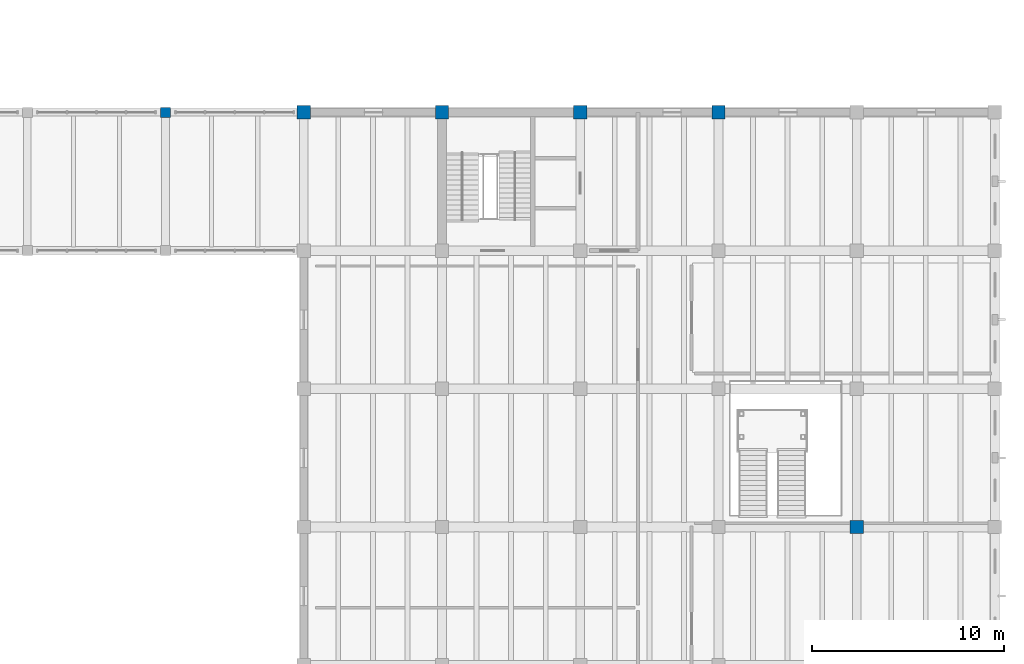
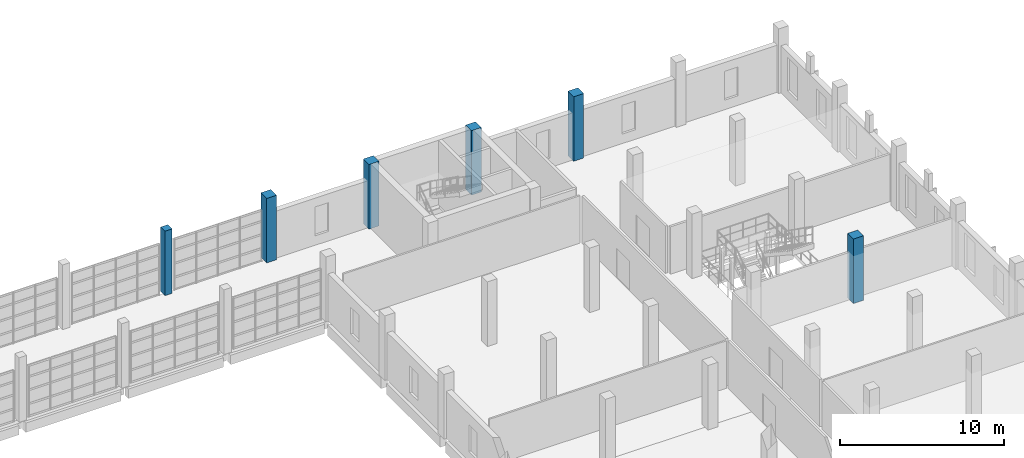
# One storey, part 17 of 77: 6 columns.
"""IFC4 building model written with IfcOpenShell, lengths in metres."""

from ifc_helpers import new_model, si_unit, direction, frame, origin, origin_2d, place, context, subcontext, project, spatial, rectangle, extrude, material, material_profile, profile_set, type_object, element, save


model = new_model("IFC4")

# Units and contexts
model_context = context("Model", 3, precision=1e-05, world=origin(), true_north=direction((0.0, 1.0)))
body_context = subcontext(model_context, "Body", "Model", "MODEL_VIEW")
ifc_project = project(units=[si_unit("LENGTHUNIT", "METRE"), si_unit("AREAUNIT", "SQUARE_METRE"), si_unit("VOLUMEUNIT", "CUBIC_METRE"), si_unit("PLANEANGLEUNIT", "RADIAN"), si_unit("MASSUNIT", "GRAM", prefix="KILO")], contexts=[model_context])

# Site, building, storey
site_placement = place(None, origin())
site = spatial("IfcSite", under=ifc_project, at=site_placement, CompositionType="ELEMENT")
building_placement = place(site_placement, origin())
building = spatial("IfcBuilding", under=site, at=building_placement, Name="Qiaolan Assembly House", CompositionType="ELEMENT")
storey_placement = place(building_placement, frame((0.0, 0.0, 5.39990234375)))
storey = spatial("IfcBuildingStorey", under=building, at=storey_placement, Name="L01", CompositionType="ELEMENT", Elevation=5.39990234375)

# Columns
ifc_material_1 = material(Name="Concrete C40/50", Category="concrete")
ifc_material_profile_1 = material_profile(ifc_material_1, rectangle(XDim=0.699951171875, YDim=0.699951171875, at=origin_2d()), Name="RC 700x700")
ifc_profile_set_1 = profile_set([ifc_material_profile_1], Name="Concrete C40/50")
column_type_1 = type_object("IfcColumnType", Name="COL-RC-700", PredefinedType="COLUMN", material=ifc_profile_set_1)
for number, where, z_axis, x_axis, name in (
    (1, (136.800048828125, 86.39990234375, 0.0), (0.0, 0.0, 1.0), (1.0, 0.0, 0.0), "RC-07 library column L01"),
    (2, (144.0, 86.39990234375, 0.0), (0.0, 0.0, 1.0), (1.0, 0.0, 0.0), "RC-07 library column L01"),
    (3, (151.199951171875, 86.39990234375, 0.0), (0.0, 0.0, 1.0), (1.0, 0.0, 0.0), "RC-07 library column L01"),
    (4, (158.39990234375, 86.39990234375, 0.0), (0.0, 0.0, 1.0), (1.0, 0.0, 0.0), "RC-07 library column L01"),
    (5, (165.60009765625, 64.800048828125, 0.0), (0.0, 0.0, 1.0), (1.0, 0.0, 0.0), "RC-07 library column L01"),
):
    element("IfcColumn", number, at=place(storey_placement, frame(where, z_axis=z_axis, x_axis=x_axis)), inside=storey, type_object=column_type_1, Name=name, PredefinedType="COLUMN", context=body_context, shape_type="SweptSolid", body=[
        extrude(rectangle(XDim=0.699951171875, YDim=0.699951171875, at=origin_2d()), origin(), (0.0, 0.0, 1.0), 4.800048828125),
    ])
ifc_material_2 = material(Name="Precast concrete C45/55", Category="concrete")
ifc_material_profile_2 = material_profile(ifc_material_2, rectangle(XDim=0.52001953125, YDim=0.52001953125, at=origin_2d()), Name="PIL 520x520")
ifc_profile_set_2 = profile_set([ifc_material_profile_2], Name="Precast concrete C45/55")
column_type_2 = type_object("IfcColumnType", Name="PIL-CLOISTER-520", PredefinedType="PILASTER", material=ifc_profile_set_2)
column_placement = place(storey_placement, frame((129.60009765625, 86.39990234375, 0.0), z_axis=(0.0, 0.0, 1.0), x_axis=(1.0, 0.0, 0.0)))
element("IfcColumn", 6, at=column_placement, inside=storey, type_object=column_type_2, Name="PL-06 cloister pier L01", PredefinedType="PILASTER", context=body_context, shape_type="SweptSolid", body=[
    extrude(rectangle(XDim=0.52001953125, YDim=0.52001953125, at=origin_2d()), origin(), (0.0, 0.0, 1.0), 4.800048828125),
])

save(model, "model.ifc")
